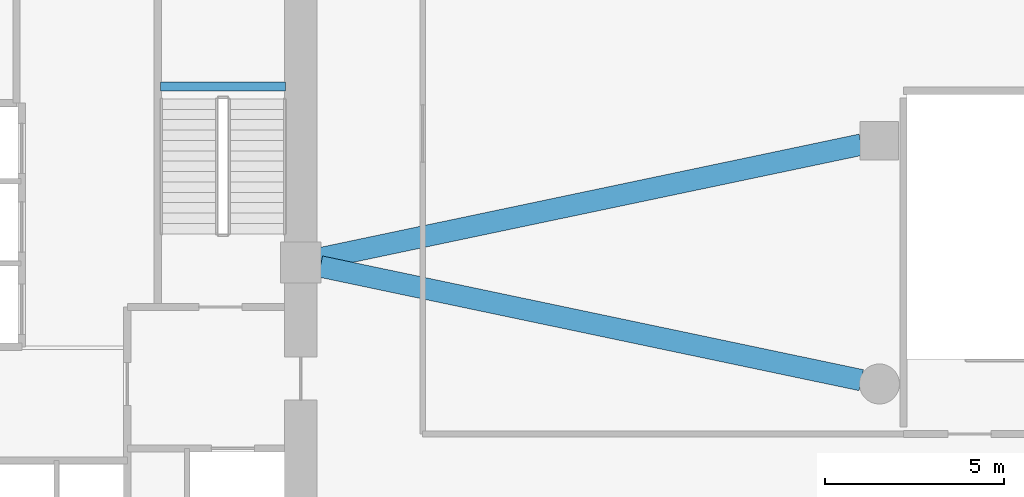
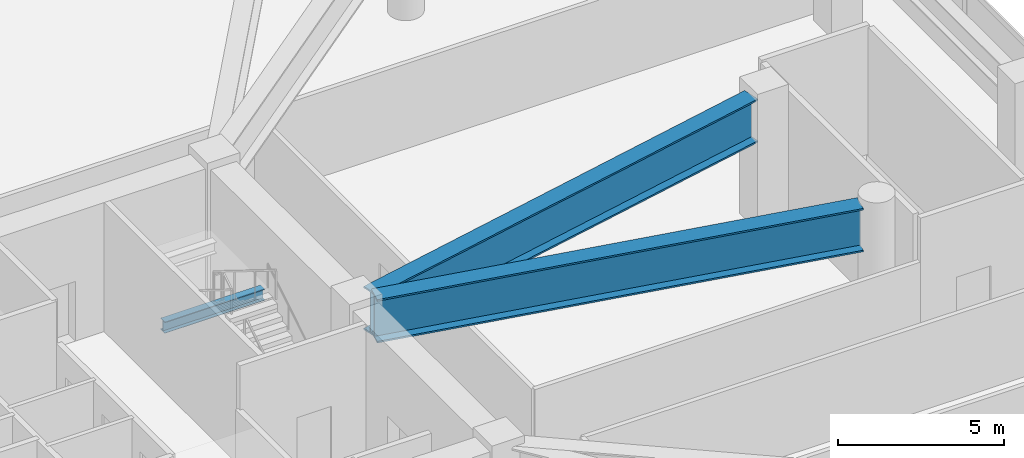
# One storey, part 5 of 21: 3 beams.
"""IFC4 building model written with IfcOpenShell, lengths in metres."""

from ifc_helpers import new_model, si_unit, derived_unit, direction, frame, origin, origin_2d, place, context, subcontext, project, spatial, i_section, extrude, material, material_profile, profile_set, type_object, element, save


model = new_model("IFC4")

# Units and contexts
model_context = context("Model", 3, precision=1e-05, world=origin(), true_north=direction((0.0, 1.0)))
body_context = subcontext(model_context, "Body", "Model", "MODEL_VIEW")
ifc_project = project(units=[si_unit("LENGTHUNIT", "METRE"), si_unit("AREAUNIT", "SQUARE_METRE"), si_unit("VOLUMEUNIT", "CUBIC_METRE"), si_unit("PLANEANGLEUNIT", "RADIAN"), si_unit("MASSUNIT", "GRAM", prefix="KILO"), derived_unit("THERMALTRANSMITTANCEUNIT", [(si_unit("POWERUNIT", "WATT"), 1), (si_unit("LENGTHUNIT", "METRE"), -2), (si_unit("THERMODYNAMICTEMPERATUREUNIT", "KELVIN"), -1)])], contexts=[model_context])

# Site, building, storey
site_placement = place(None, origin())
site = spatial("IfcSite", under=ifc_project, at=site_placement, CompositionType="ELEMENT")
building_placement = place(site_placement, origin())
building = spatial("IfcBuilding", under=site, at=building_placement, Name="Koralith Skygarden Medical Center", CompositionType="ELEMENT")
storey_placement = place(building_placement, frame((0.0, 0.0, 18.89990234375)))
storey = spatial("IfcBuildingStorey", under=building, at=storey_placement, Name="L04", CompositionType="ELEMENT", Elevation=18.89990234375)

# Beams
ifc_material = material(Name="Steel ASTM A992 Grade 50", Category="steel")
ifc_material_profile_1 = material_profile(ifc_material, i_section(OverallWidth=0.260009765625, OverallDepth=0.4150390625, WebThickness=0.010009765625, FlangeThickness=0.016845703125, at=origin_2d()), Name="W16X67")
ifc_profile_set_1 = profile_set([ifc_material_profile_1], Name="Steel ASTM A992 Grade 50")
beam_type_1 = type_object("IfcBeamType", Name="Clinical Floor Joist W16X67", PredefinedType="JOIST", material=ifc_profile_set_1)
beam_placement = place(storey_placement, frame((44.280029296875, 30.820068359375, 2.113037109375), z_axis=(1.0, 0.0, 0.0), x_axis=(0.0, 1.0, 0.0)))
element("IfcBeam", 1, at=beam_placement, inside=storey, type_object=beam_type_1, Name="L04 Stair ST2 Half-Landing Support Beam 1A", PredefinedType="JOIST", context=body_context, shape_type="SweptSolid", body=[
    extrude(i_section(OverallWidth=0.260009765625, OverallDepth=0.4150390625, WebThickness=0.010009765625, FlangeThickness=0.016845703125, at=origin_2d()), origin(), (0.0, 0.0, 1.0), 3.489990234375),
])
ifc_material_profile_2 = material_profile(ifc_material, i_section(OverallWidth=0.60009765625, OverallDepth=1.60009765625, WebThickness=0.031982421875, FlangeThickness=0.06005859375, at=origin_2d()), Name="BG1600X600X60X32")
ifc_profile_set_2 = profile_set([ifc_material_profile_2], Name="Steel ASTM A992 Grade 50")
beam_type_2 = type_object("IfcBeamType", Name="Podium Transfer Girder BG1600", PredefinedType="USERDEFINED", material=ifc_profile_set_2)
for number, where, z_axis, x_axis, name in (
    (2, (48.748046875, 25.784912109375, 3.960205078125), (0.978625652149, -0.205649782288, 0.0), (0.205649782288, 0.978625652149, 0.0), "L04 Podium Radial Girder PRG-08"),
    (3, (48.748046875, 26.014892578125, 3.960205078125), (0.978622472518, 0.205664912619, 0.0), (-0.205664912619, 0.978622472518, 0.0), "L04 Podium Radial Girder PRG-09"),
):
    element("IfcBeam", number, at=place(storey_placement, frame(where, z_axis=z_axis, x_axis=x_axis)), inside=storey, type_object=beam_type_2, Name=name, ObjectType="TRANSFER GIRDER", PredefinedType="USERDEFINED", context=body_context, shape_type="SweptSolid", body=[
        extrude(i_section(OverallWidth=0.60009765625, OverallDepth=1.60009765625, WebThickness=0.031982421875, FlangeThickness=0.06005859375, at=origin_2d()), origin(), (0.0, 0.0, 1.0), 15.453369140625),
    ])

save(model, "model.ifc")
